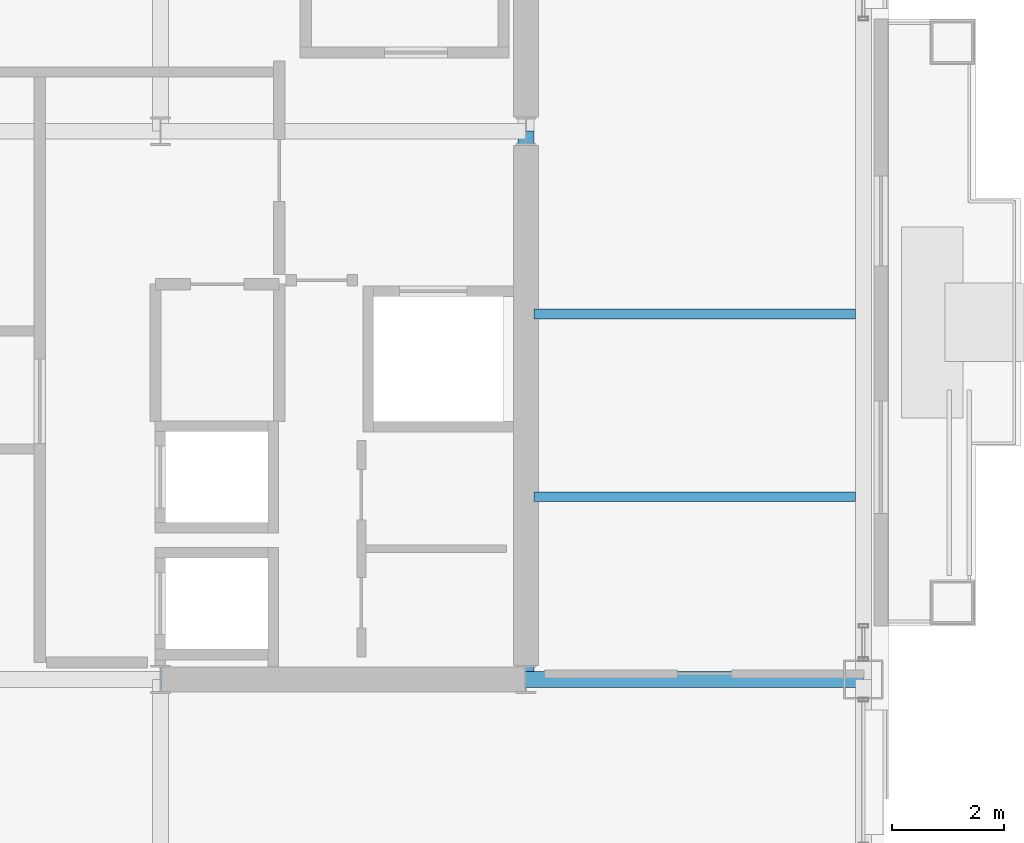
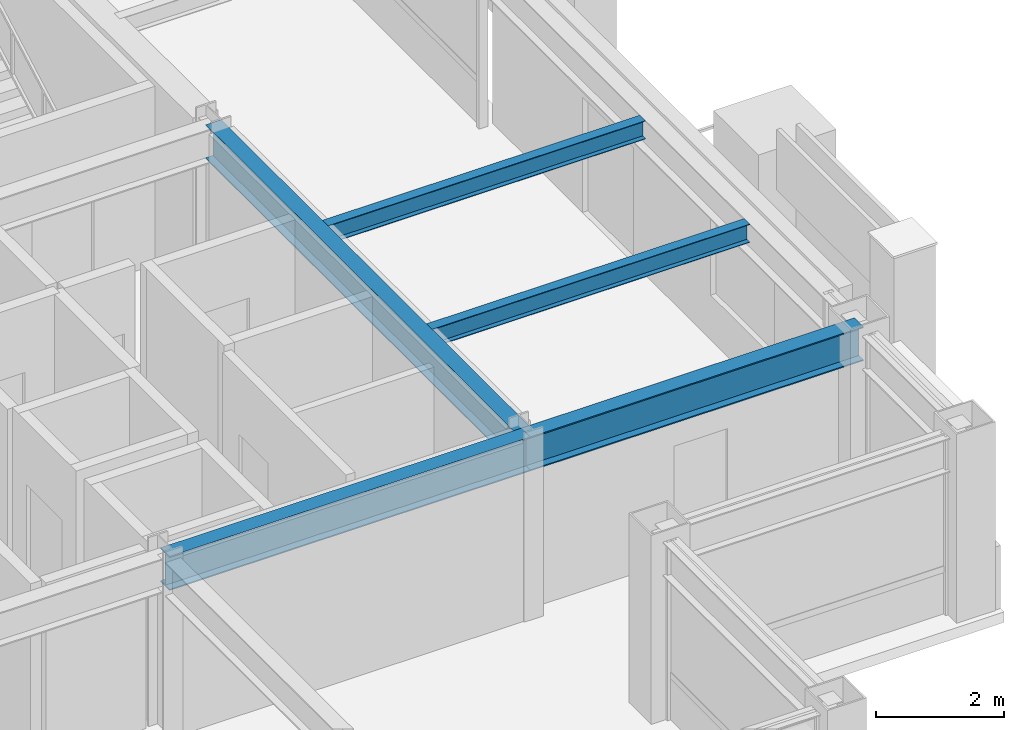
# One storey, part 13 of 28: 5 beams.
"""IFC4 building model written with IfcOpenShell, lengths in metres."""

from ifc_helpers import new_model, si_unit, direction, frame, origin, origin_2d, place, context, subcontext, project, spatial, i_section, extrude, material, material_profile, profile_set, type_object, element, save


model = new_model("IFC4")

# Units and contexts
model_context = context("Model", 3, precision=1e-05, world=origin(), true_north=direction((0.0, 1.0)))
body_context = subcontext(model_context, "Body", "Model", "MODEL_VIEW")
ifc_project = project(units=[si_unit("LENGTHUNIT", "METRE"), si_unit("AREAUNIT", "SQUARE_METRE"), si_unit("VOLUMEUNIT", "CUBIC_METRE"), si_unit("PLANEANGLEUNIT", "RADIAN"), si_unit("MASSUNIT", "GRAM", prefix="KILO")], contexts=[model_context])

# Site, building, storey
site_placement = place(None, origin())
site = spatial("IfcSite", under=ifc_project, at=site_placement, CompositionType="ELEMENT")
building_placement = place(site_placement, origin())
building = spatial("IfcBuilding", under=site, at=building_placement, Name="Brelmoor Portico Tower", CompositionType="ELEMENT")
storey_placement = place(building_placement, frame((0.0, 0.0, 191.10009765625)))
storey = spatial("IfcBuildingStorey", under=building, at=storey_placement, Name="L50", CompositionType="ELEMENT", Elevation=191.10009765625)

# Beams
ifc_material = material(Name="Steel Q355B", Category="steel")
ifc_material_profile_1 = material_profile(ifc_material, i_section(OverallWidth=0.175048828125, OverallDepth=0.35009765625, WebThickness=0.007080078125, FlangeThickness=0.010986328125, at=origin_2d()), Name="HN 350x175x7x11")
ifc_profile_set_1 = profile_set([ifc_material_profile_1], Name="Steel Q355B")
beam_type_1 = type_object("IfcBeamType", Name="BM-JS-350", PredefinedType="JOIST", material=ifc_profile_set_1)
for number, where, z_axis, x_axis, name in (
    (1, (14.68994140625, -6.5, 3.224853515625), (1.0, 0.0, 0.0), (0.0, 1.0, 0.0), "L50 Secondary Wing Joist JS-E09"),
    (2, (14.68994140625, -3.25, 3.224853515625), (1.0, 0.0, 0.0), (0.0, 1.0, 0.0), "L50 Secondary Wing Joist JS-E10"),
):
    element("IfcBeam", number, at=place(storey_placement, frame(where, z_axis=z_axis, x_axis=x_axis)), inside=storey, type_object=beam_type_1, Name=name, PredefinedType="JOIST", context=body_context, shape_type="SweptSolid", body=[
        extrude(i_section(OverallWidth=0.175048828125, OverallDepth=0.35009765625, WebThickness=0.007080078125, FlangeThickness=0.010986328125, at=origin_2d()), origin(), (0.0, 0.0, 1.0), 5.719970703125),
    ])
ifc_material_profile_2 = material_profile(ifc_material, i_section(OverallWidth=0.280029296875, OverallDepth=0.64990234375, WebThickness=0.012939453125, FlangeThickness=0.02197265625, at=origin_2d()), Name="HN 650x280x13x22")
ifc_profile_set_2 = profile_set([ifc_material_profile_2], Name="Steel Q355B")
beam_type_2 = type_object("IfcBeamType", Name="BM-PG-650", PredefinedType="BEAM", material=ifc_profile_set_2)
beam_1_placement = place(storey_placement, frame((14.550048828125, -9.75, 3.074951171875), z_axis=(0.0, 1.0, 0.0), x_axis=(-1.0, 0.0, 0.0)))
element("IfcBeam", 3, at=beam_1_placement, inside=storey, type_object=beam_type_2, Name="L50 Primary Floor Girder PG-09", PredefinedType="BEAM", context=body_context, shape_type="SweptSolid", body=[
    extrude(i_section(OverallWidth=0.280029296875, OverallDepth=0.64990234375, WebThickness=0.012939453125, FlangeThickness=0.02197265625, at=origin_2d()), origin(), (0.0, 0.0, 1.0), 9.75),
])
beam_2_placement = place(storey_placement, frame((8.050048828125, -9.75, 3.074951171875), z_axis=(1.0, 0.0, 0.0), x_axis=(0.0, 1.0, 0.0)))
element("IfcBeam", 4, at=beam_2_placement, inside=storey, type_object=beam_type_2, Name="L50 Primary Floor Girder PG-14", PredefinedType="BEAM", context=body_context, shape_type="SweptSolid", body=[
    extrude(i_section(OverallWidth=0.280029296875, OverallDepth=0.64990234375, WebThickness=0.012939453125, FlangeThickness=0.02197265625, at=origin_2d()), origin(), (0.0, 0.0, 1.0), 6.5),
])
beam_3_placement = place(storey_placement, frame((14.550048828125, -9.75, 3.074951171875), z_axis=(1.0, 0.0, 0.0), x_axis=(0.0, 1.0, 0.0)))
element("IfcBeam", 5, at=beam_3_placement, inside=storey, type_object=beam_type_2, Name="L50 Primary Floor Girder PG-15", PredefinedType="BEAM", context=body_context, shape_type="SweptSolid", body=[
    extrude(i_section(OverallWidth=0.280029296875, OverallDepth=0.64990234375, WebThickness=0.012939453125, FlangeThickness=0.02197265625, at=origin_2d()), origin(), (0.0, 0.0, 1.0), 6.0),
])

save(model, "model.ifc")
